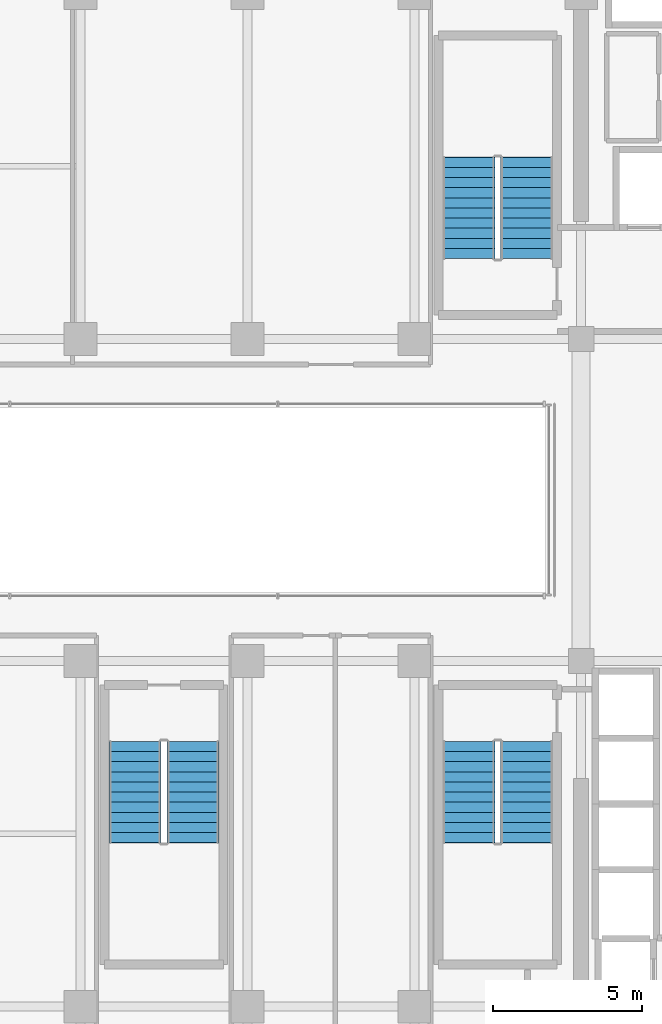
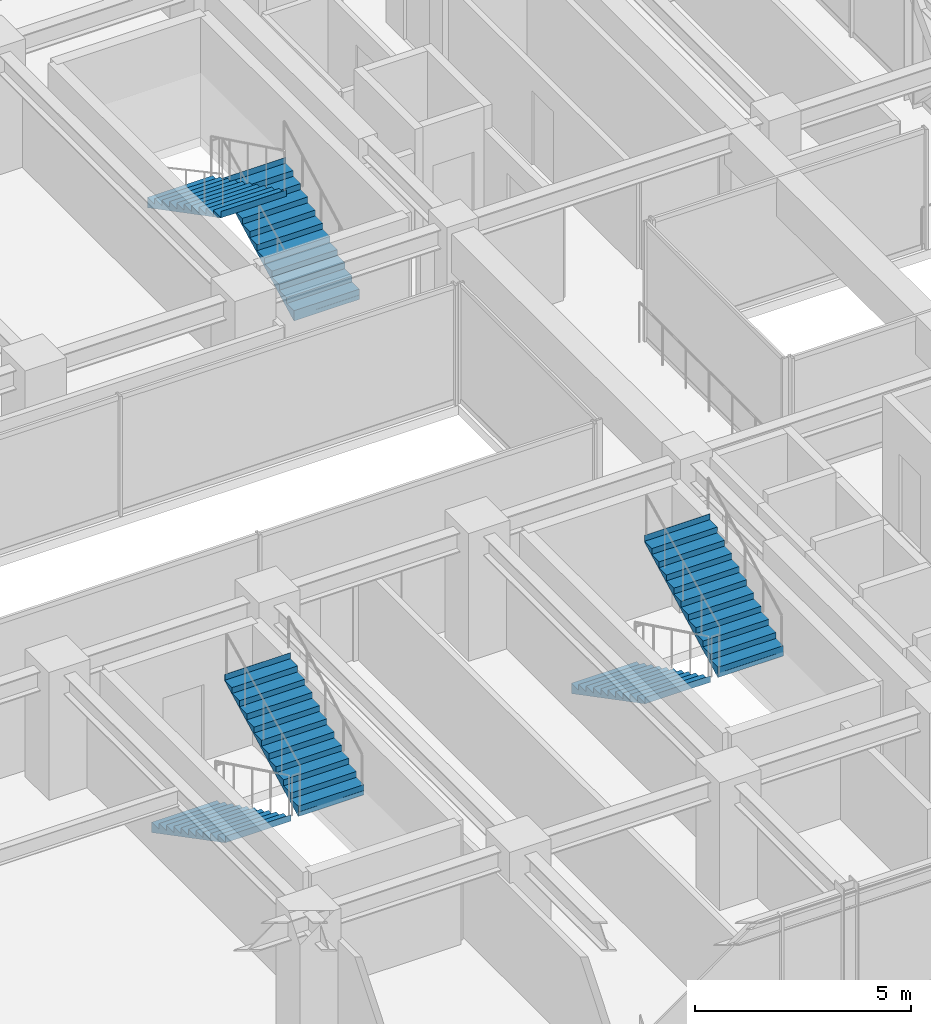
# One storey, part 32 of 36: 6 stair flights, 3 elements without a shape of their own.
"""IFC4 building model written with IfcOpenShell, lengths in metres."""

from ifc_helpers import new_model, si_unit, direction, frame, origin, place, context, subcontext, project, spatial, polyline, outline, extrude, source, transform, mapped, material, layer, layer_set, type_object, element, aggregate, save


model = new_model("IFC4")

# Units and contexts
model_context = context("Model", 3, precision=1e-05, world=origin(), true_north=direction((0.0, 1.0)))
body_context = subcontext(model_context, "Body", "Model", "MODEL_VIEW")
ifc_project = project(units=[si_unit("LENGTHUNIT", "METRE"), si_unit("AREAUNIT", "SQUARE_METRE"), si_unit("VOLUMEUNIT", "CUBIC_METRE"), si_unit("PLANEANGLEUNIT", "RADIAN"), si_unit("MASSUNIT", "GRAM", prefix="KILO")], contexts=[model_context])

# Site, building, storey
site_placement = place(None, origin())
site = spatial("IfcSite", under=ifc_project, at=site_placement, CompositionType="ELEMENT")
building_placement = place(site_placement, origin())
building = spatial("IfcBuilding", under=site, at=building_placement, Name="Nahalor Promenade Grand Hotel", CompositionType="ELEMENT")
storey_placement = place(building_placement, frame((0.0, 0.0, 170.89990234375)))
storey = spatial("IfcBuildingStorey", under=building, at=storey_placement, Name="L43", CompositionType="ELEMENT", Elevation=170.89990234375)

# Stair, stair flights
ifc_material = material(Name="Concrete B-50 (C40/50)", Category="concrete")
stair_type_1 = type_object("IfcStairType", Name="Stair-ST1", PredefinedType="HALF_TURN_STAIR", material=ifc_material)
stair_1_placement = place(storey_placement, origin())
stair_1 = element("IfcStair", 1, at=stair_1_placement, inside=storey, type_object=stair_type_1, Name="L43 ST1", PredefinedType="HALF_TURN_STAIR")
ifc_layer_1 = layer(ifc_material, 0.179931640625)
ifc_layer_set_1 = layer_set([ifc_layer_1], Name="Concrete B-50 (C40/50)")
stair_flight_type_1 = type_object("IfcStairFlightType", Name="Flight-ST1", PredefinedType="STRAIGHT", material=ifc_layer_set_1)
shared_shape_1 = source(origin(), body_context, "Body", "SweptSolid", [
    extrude(outline(polyline([(-0.00390625, -0.1201171875), (-0.00390625, 0.0), (0.0, 0.0), (0.0, 0.166015625), (0.340087890625, 0.166015625), (0.340087890625, 0.331787109375), (0.679931640625, 0.331787109375), (0.679931640625, 0.497802734375), (1.02001953125, 0.497802734375), (1.02001953125, 0.66357421875), (1.360107421875, 0.66357421875), (1.360107421875, 0.82958984375), (1.699951171875, 0.82958984375), (1.699951171875, 0.995361328125), (2.0400390625, 0.995361328125), (2.0400390625, 1.161376953125), (2.3798828125, 1.161376953125), (2.3798828125, 1.327392578125), (2.719970703125, 1.327392578125), (2.719970703125, 1.4931640625), (3.06005859375, 1.4931640625), (3.06005859375, 1.6591796875), (3.39990234375, 1.6591796875), (3.39990234375, 1.824951171875), (3.404052734375, 1.824951171875), (3.404052734375, 1.64501953125), (0.02001953125, -0.1201171875), (-0.00390625, -0.1201171875)])), frame((0.0, 0.875, 0.0), z_axis=(0.0, -1.0, 0.0), x_axis=(1.0, 0.0, 0.0)), (0.0, 0.0, 1.0), 1.75),
])
stair_flight_1_placement = place(storey_placement, frame((6.574951171875, 8.10009765625, 0.0), z_axis=(0.0, 0.0, 1.0), x_axis=(0.0, 1.0, 0.0)))
stair_flight_1 = element("IfcStairFlight", 2, at=stair_flight_1_placement, type_object=stair_flight_type_1, Name="ST1 flight 1", NumberOfRisers=11, NumberOfTreads=10, PredefinedType="STRAIGHT", RiserHeight=0.165909091, TreadLength=0.34, context=body_context, shape_type="MappedRepresentation", body=[
    mapped(shared_shape_1, transform((0.0, 0.0, 0.0), scale=1.0)),
])
stair_flight_2_placement = place(storey_placement, frame((4.625, 11.5, 1.8251953125), z_axis=(0.0, 0.0, 1.0), x_axis=(0.0, -1.0, 0.0)))
stair_flight_2 = element("IfcStairFlight", 3, at=stair_flight_2_placement, type_object=stair_flight_type_1, Name="ST1 flight 2", NumberOfRisers=11, NumberOfTreads=10, PredefinedType="STRAIGHT", RiserHeight=0.165909091, TreadLength=0.34, context=body_context, shape_type="MappedRepresentation", body=[
    mapped(shared_shape_1, transform((0.0, 0.0, 0.0), scale=1.0)),
])
aggregate(stair_1, [stair_flight_1, stair_flight_2])

stair_type_2 = type_object("IfcStairType", Name="Stair-ST2", PredefinedType="HALF_TURN_STAIR", material=ifc_material)
stair_2_placement = place(storey_placement, origin())
stair_2 = element("IfcStair", 4, at=stair_2_placement, inside=storey, type_object=stair_type_2, Name="L43 ST2", PredefinedType="HALF_TURN_STAIR")
ifc_layer_2 = layer(ifc_material, 0.18994140625)
ifc_layer_set_2 = layer_set([ifc_layer_2], Name="Concrete B-50 (C40/50)")
stair_flight_type_2 = type_object("IfcStairFlightType", Name="Flight-ST2", PredefinedType="STRAIGHT", material=ifc_layer_set_2)
shared_shape_2 = source(origin(), body_context, "Body", "SweptSolid", [
    extrude(outline(polyline([(-0.00390625, -0.1201171875), (-0.00390625, 0.0), (0.0, 0.0), (0.0, 0.166015625), (0.340087890625, 0.166015625), (0.340087890625, 0.331787109375), (0.679931640625, 0.331787109375), (0.679931640625, 0.497802734375), (1.02001953125, 0.497802734375), (1.02001953125, 0.66357421875), (1.360107421875, 0.66357421875), (1.360107421875, 0.82958984375), (1.699951171875, 0.82958984375), (1.699951171875, 0.995361328125), (2.0400390625, 0.995361328125), (2.0400390625, 1.161376953125), (2.3798828125, 1.161376953125), (2.3798828125, 1.327392578125), (2.719970703125, 1.327392578125), (2.719970703125, 1.4931640625), (3.06005859375, 1.4931640625), (3.06005859375, 1.6591796875), (3.39990234375, 1.6591796875), (3.39990234375, 1.824951171875), (3.404052734375, 1.824951171875), (3.404052734375, 1.64501953125), (0.02001953125, -0.1201171875), (-0.00390625, -0.1201171875)])), frame((0.0, 0.875, 0.0), z_axis=(0.0, -1.0, 0.0), x_axis=(1.0, 0.0, 0.0)), (0.0, 0.0, 1.0), 1.75),
])
stair_flight_3_placement = place(storey_placement, frame((4.625, -8.10009765625, 0.0), z_axis=(0.0, 0.0, 1.0), x_axis=(0.0, -1.0, 0.0)))
stair_flight_3 = element("IfcStairFlight", 5, at=stair_flight_3_placement, type_object=stair_flight_type_2, Name="ST2 flight 1", NumberOfRisers=11, NumberOfTreads=10, PredefinedType="STRAIGHT", RiserHeight=0.165909091, TreadLength=0.34, context=body_context, shape_type="MappedRepresentation", body=[
    mapped(shared_shape_2, transform((0.0, 0.0, 0.0), scale=1.0)),
])
stair_flight_4_placement = place(storey_placement, frame((6.574951171875, -11.5, 1.8251953125), z_axis=(0.0, 0.0, 1.0), x_axis=(0.0, 1.0, 0.0)))
stair_flight_4 = element("IfcStairFlight", 6, at=stair_flight_4_placement, type_object=stair_flight_type_2, Name="ST2 flight 2", NumberOfRisers=11, NumberOfTreads=10, PredefinedType="STRAIGHT", RiserHeight=0.165909091, TreadLength=0.34, context=body_context, shape_type="MappedRepresentation", body=[
    mapped(shared_shape_2, transform((0.0, 0.0, 0.0), scale=1.0)),
])
aggregate(stair_2, [stair_flight_3, stair_flight_4])

stair_type_3 = type_object("IfcStairType", Name="Stair-ST3", PredefinedType="HALF_TURN_STAIR", material=ifc_material)
stair_3_placement = place(storey_placement, origin())
stair_3 = element("IfcStair", 7, at=stair_3_placement, inside=storey, type_object=stair_type_3, Name="L43 ST3", PredefinedType="HALF_TURN_STAIR")
ifc_layer_3 = layer(ifc_material, 0.199951171875)
ifc_layer_set_3 = layer_set([ifc_layer_3], Name="Concrete B-50 (C40/50)")
stair_flight_type_3 = type_object("IfcStairFlightType", Name="Flight-ST3", PredefinedType="STRAIGHT", material=ifc_layer_set_3)
shared_shape_3 = source(origin(), body_context, "Body", "SweptSolid", [
    extrude(outline(polyline([(-0.00390625, -0.1201171875), (-0.00390625, 0.0), (0.0, 0.0), (0.0, 0.166015625), (0.340087890625, 0.166015625), (0.340087890625, 0.331787109375), (0.679931640625, 0.331787109375), (0.679931640625, 0.497802734375), (1.02001953125, 0.497802734375), (1.02001953125, 0.66357421875), (1.360107421875, 0.66357421875), (1.360107421875, 0.82958984375), (1.699951171875, 0.82958984375), (1.699951171875, 0.995361328125), (2.0400390625, 0.995361328125), (2.0400390625, 1.161376953125), (2.3798828125, 1.161376953125), (2.3798828125, 1.327392578125), (2.719970703125, 1.327392578125), (2.719970703125, 1.4931640625), (3.06005859375, 1.4931640625), (3.06005859375, 1.6591796875), (3.39990234375, 1.6591796875), (3.39990234375, 1.824951171875), (3.404052734375, 1.824951171875), (3.404052734375, 1.64501953125), (0.02001953125, -0.1201171875), (-0.00390625, -0.1201171875)])), frame((0.0, 0.875, 0.0), z_axis=(0.0, -1.0, 0.0), x_axis=(1.0, 0.0, 0.0)), (0.0, 0.0, 1.0), 1.75),
])
stair_flight_5_placement = place(storey_placement, frame((-6.574951171875, -8.10009765625, 0.0), z_axis=(0.0, 0.0, 1.0), x_axis=(0.0, -1.0, 0.0)))
stair_flight_5 = element("IfcStairFlight", 8, at=stair_flight_5_placement, type_object=stair_flight_type_3, Name="ST3 flight 1", NumberOfRisers=11, NumberOfTreads=10, PredefinedType="STRAIGHT", RiserHeight=0.165909091, TreadLength=0.34, context=body_context, shape_type="MappedRepresentation", body=[
    mapped(shared_shape_3, transform((0.0, 0.0, 0.0), scale=1.0)),
])
stair_flight_6_placement = place(storey_placement, frame((-4.625, -11.5, 1.8251953125), z_axis=(0.0, 0.0, 1.0), x_axis=(0.0, 1.0, 0.0)))
stair_flight_6 = element("IfcStairFlight", 9, at=stair_flight_6_placement, type_object=stair_flight_type_3, Name="ST3 flight 2", NumberOfRisers=11, NumberOfTreads=10, PredefinedType="STRAIGHT", RiserHeight=0.165909091, TreadLength=0.34, context=body_context, shape_type="MappedRepresentation", body=[
    mapped(shared_shape_3, transform((0.0, 0.0, 0.0), scale=1.0)),
])
aggregate(stair_3, [stair_flight_5, stair_flight_6])

save(model, "model.ifc")
